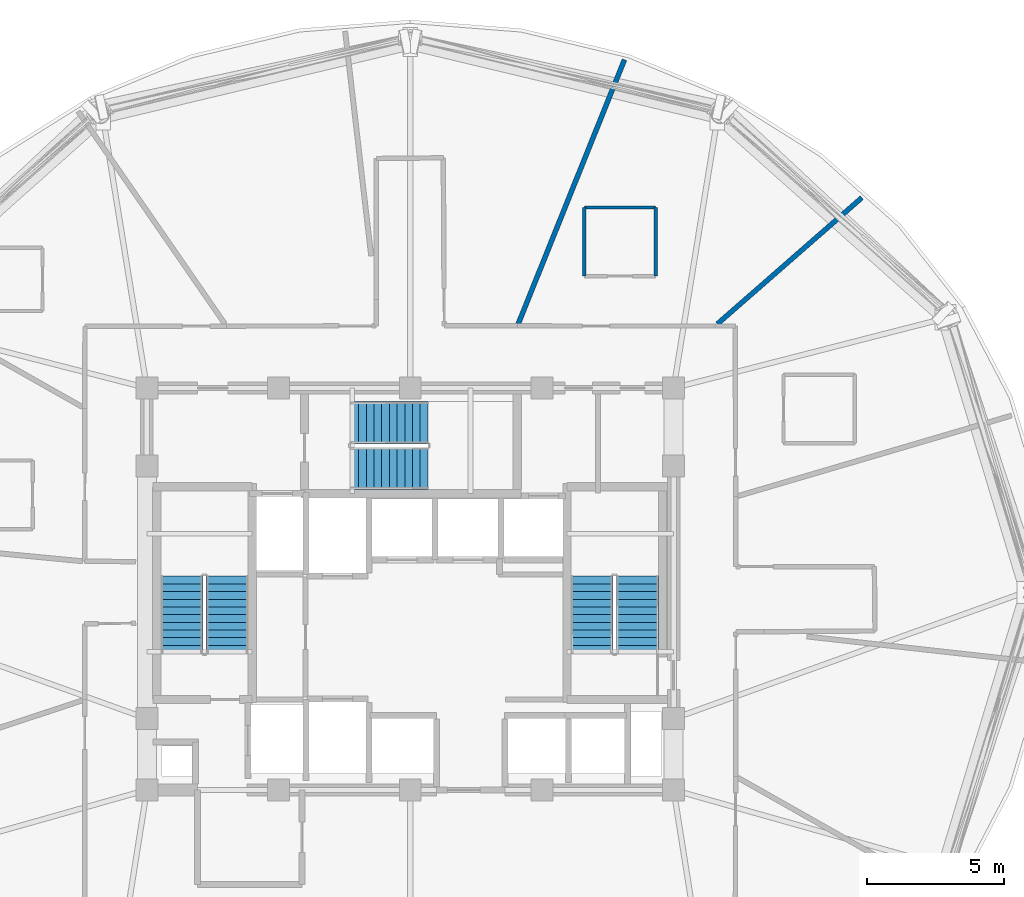
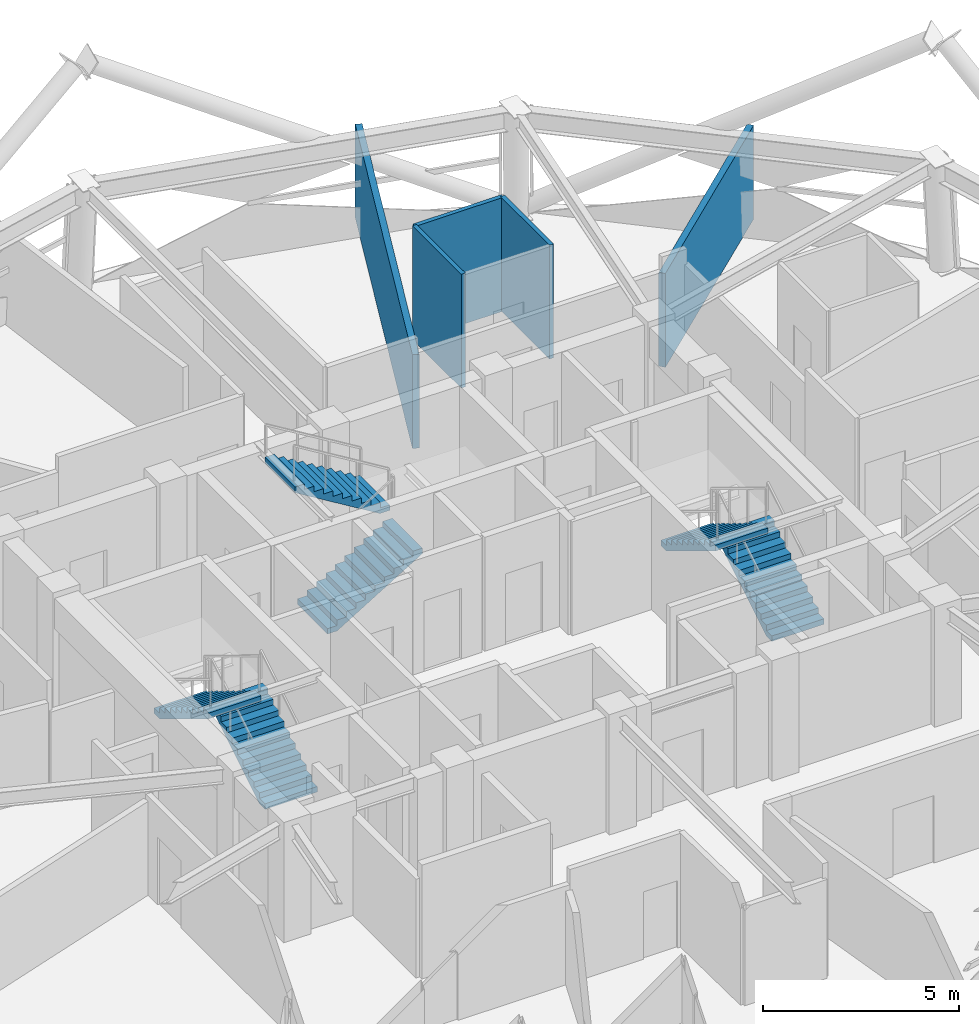
# One storey, part 8 of 12: 6 stair flights, 5 walls, 3 elements without a shape of their own.
"""IFC4 building model written with IfcOpenShell, lengths in metres."""

import ifcopenshell
import ifcopenshell.guid

model = None  # the IFC model being written
_history = None  # IfcOwnerHistory: only IFC2X3 demands one
_inside = {}  # id of a spatial element -> (the spatial element, [elements in it])
_under = {}  # id of a project, library or spatial element -> (it, [spatial elements below it])
_declared = {}  # id of a project -> (the project, [libraries it declares])
_typed = {}  # id of a type object -> (the type object, [elements of that type])
_made_of = {}  # id of a material, layer set ... -> (it, [elements and type objects made of it])


def new_model(schema):
    """Start an empty IFC model of exactly this schema.

    Asked for "IFC4X3", IfcOpenShell would pick the latest addendum, in which some entities
    have other attributes; the version numbers below select the first issue.
    IFC2X3 requires an IfcOwnerHistory on every rooted entity: one is made here for all.
    """
    global model, _history
    if schema == "IFC4X3":
        model = ifcopenshell.file(schema_version=(4, 3, 0, 0))
    else:
        model = ifcopenshell.file(schema=schema)
    _inside.clear()
    _under.clear()
    _declared.clear()
    _typed.clear()
    _made_of.clear()
    _history = None
    if model.schema == "IFC2X3":
        org = make("IfcOrganization", Name="unknown")
        user = make(
            "IfcPersonAndOrganization",
            ThePerson=make("IfcPerson", FamilyName="unknown"),
            TheOrganization=org,
        )
        app = make(
            "IfcApplication",
            ApplicationDeveloper=org,
            Version="unknown",
            ApplicationFullName="unknown",
            ApplicationIdentifier="unknown",
        )
        _history = make(
            "IfcOwnerHistory",
            OwningUser=user,
            OwningApplication=app,
            ChangeAction="ADDED",
            CreationDate=0,
        )
    return model


def make(cls, **values):
    """One entity of the class cls with the attributes given. An attribute that is None is left unset."""
    return model.create_entity(
        cls, **{name: value for name, value in values.items() if value is not None}
    )


def rooted(cls, **values):
    """An entity with a GlobalId (a new one), such as an element, a storey or a relation."""
    return make(cls, GlobalId=ifcopenshell.guid.new(), OwnerHistory=_history, **values)


def si_unit(unit_type, name, prefix=None):
    """IfcSIUnit, for example si_unit("LENGTHUNIT", "METRE", prefix="MILLI")."""
    return make("IfcSIUnit", UnitType=unit_type, Prefix=prefix, Name=name)


def assignment(units):
    """IfcUnitAssignment: the units of a project."""
    return None if units is None else make("IfcUnitAssignment", Units=units)


def point(xyz):
    """IfcCartesianPoint."""
    return None if xyz is None else make("IfcCartesianPoint", Coordinates=xyz)


def direction(xyz):
    """IfcDirection."""
    return None if xyz is None else make("IfcDirection", DirectionRatios=xyz)


def frame(location, z_axis=None, x_axis=None):
    """IfcAxis2Placement3D, a coordinate frame: its origin and axes. An axis left out is left unset."""
    return make(
        "IfcAxis2Placement3D",
        Location=point(location),
        Axis=direction(z_axis),
        RefDirection=direction(x_axis),
    )


def frame_2d(location, x_axis=None):
    """IfcAxis2Placement2D, a coordinate frame in the plane: its origin and x axis."""
    return make(
        "IfcAxis2Placement2D", Location=point(location), RefDirection=direction(x_axis)
    )


def origin():
    """The frame at (0, 0, 0) with its axes left unset."""
    return frame((0.0, 0.0, 0.0))


def place(relative_to, where):
    """IfcLocalPlacement: puts the frame where relative to a parent placement (None: the world)."""
    return make(
        "IfcLocalPlacement", PlacementRelTo=relative_to, RelativePlacement=where
    )


def context(
    kind, dimensions, precision=None, world=None, true_north=None, identifier=None
):
    """IfcGeometricRepresentationContext, for example the 3D "Model" context."""
    return make(
        "IfcGeometricRepresentationContext",
        ContextIdentifier=identifier,
        ContextType=kind,
        CoordinateSpaceDimension=dimensions,
        Precision=precision,
        WorldCoordinateSystem=world,
        TrueNorth=true_north,
    )


def subcontext(parent, identifier, kind, view, scale=None):
    """IfcGeometricRepresentationSubContext, for example "Body" below "Model"."""
    return make(
        "IfcGeometricRepresentationSubContext",
        ContextIdentifier=identifier,
        ContextType=kind,
        ParentContext=parent,
        TargetScale=scale,
        TargetView=view,
    )


def project(units=None, contexts=None):
    """IfcProject with its units and contexts."""
    return rooted(
        "IfcProject",
        Name="project",
        RepresentationContexts=contexts,
        UnitsInContext=assignment(units),
    )


def spatial(cls, under=None, at=None, **own):
    """A site, building, storey or space (cls), placed at a placement, below another one or the project."""
    s = rooted(cls, ObjectPlacement=at, **own)
    if under is not None:
        _under.setdefault(under.id(), (under, []))[1].append(s)
    return s


def polyline(points):
    """IfcPolyline through the points."""
    return make("IfcPolyline", Points=[point(p) for p in points])


def profile(cls, at=None, kind="AREA", **sizes):
    """A parametric profile (cls). Its sizes go by their IFC names, for example OverallWidth=200.0."""
    return make(cls, ProfileType=kind, Position=at, **sizes)


def rectangle(**sizes):
    """IfcRectangleProfileDef."""
    return profile("IfcRectangleProfileDef", **sizes)


def outline(outer, holes=None, kind="AREA"):
    """IfcArbitraryClosedProfileDef: a profile drawn as a closed curve; with holes, ...WithVoids."""
    if holes is None:
        return make("IfcArbitraryClosedProfileDef", ProfileType=kind, OuterCurve=outer)
    return make(
        "IfcArbitraryProfileDefWithVoids",
        ProfileType=kind,
        OuterCurve=outer,
        InnerCurves=holes,
    )


def extrude(swept, where, along, depth):
    """IfcExtrudedAreaSolid: the profile swept, set in the frame where, extruded along a direction by depth."""
    return make(
        "IfcExtrudedAreaSolid",
        SweptArea=swept,
        Position=where,
        ExtrudedDirection=direction(along),
        Depth=depth,
    )


def shape(context_of_items, identifier, shape_type, items):
    """IfcShapeRepresentation: the items that make up one representation, for example the "Body"."""
    return make(
        "IfcShapeRepresentation",
        ContextOfItems=context_of_items,
        RepresentationIdentifier=identifier,
        RepresentationType=shape_type,
        Items=items,
    )


def material(Name=None, Category=None):
    """IfcMaterial."""
    return make("IfcMaterial", Name=Name, Category=Category)


def layer(
    of_material, thickness, ventilated=None, Name=None, Category=None, Priority=None
):
    """IfcMaterialLayer: one layer of a wall or slab, of a material (None: an air gap)."""
    return make(
        "IfcMaterialLayer",
        Material=of_material,
        LayerThickness=thickness,
        IsVentilated=ventilated,
        Name=Name,
        Category=Category,
        Priority=Priority,
    )


def layer_set(layers, Name=None):
    """IfcMaterialLayerSet."""
    return make("IfcMaterialLayerSet", MaterialLayers=layers, LayerSetName=Name)


def made_of(thing, what):
    """Note that an element or type object is made of a material, layer set ...; save() writes the relation."""
    if what is not None:
        _made_of.setdefault(what.id(), (what, []))[1].append(thing)
    return thing


def type_object(cls, material=None, **own):
    """A type object (cls), such as IfcWallType, which elements share."""
    return made_of(rooted(cls, **own), material)


def element(
    cls,
    number,
    at=None,
    inside=None,
    cuts=None,
    type_object=None,
    material=None,
    context=None,
    identifier="Body",
    shape_type=None,
    held_by="IfcProductDefinitionShape",
    body=None,
    shapes=None,
    **own,
):
    """One element of the class cls, such as IfcWall. Its Tag is "e" and its number.

    at: its placement. inside: the storey or other place that contains it. cuts: it is an
    opening in that element (IfcRelVoidsElement). A single representation is given by context,
    identifier, shape_type and body (its items); several are given by shapes. held_by: the class
    of the entity that holds the representations. save() writes the other relations.
    """
    e = rooted(cls, Tag="e%d" % number, ObjectPlacement=at, **own)
    if body is not None:
        shapes = [shape(context, identifier, shape_type, body)]
    if shapes is not None:
        e.Representation = make(held_by, Representations=shapes)
    if inside is not None:
        _inside.setdefault(inside.id(), (inside, []))[1].append(e)
    if cuts is not None:
        rooted(
            "IfcRelVoidsElement", RelatingBuildingElement=cuts, RelatedOpeningElement=e
        )
    if type_object is not None:
        _typed.setdefault(type_object.id(), (type_object, []))[1].append(e)
    return made_of(e, material)


def aggregate(whole, parts):
    """IfcRelAggregates: a whole, such as a stair, and the parts it consists of."""
    return rooted("IfcRelAggregates", RelatingObject=whole, RelatedObjects=parts)


def save(model, path):
    """Write the relations noted so far, then the file.

    IfcRelAggregates (storeys below a building ...), IfcRelContainedInSpatialStructure (elements
    in a storey), IfcRelDefinesByType, IfcRelAssociatesMaterial and IfcRelDeclares: one each for
    every whole, place, type object, material and project.
    """
    for whole, parts in _under.values():
        aggregate(whole, parts)
    for where, things in _inside.values():
        rooted(
            "IfcRelContainedInSpatialStructure",
            RelatedElements=things,
            RelatingStructure=where,
        )
    for kind, things in _typed.values():
        rooted("IfcRelDefinesByType", RelatedObjects=things, RelatingType=kind)
    for what, things in _made_of.values():
        rooted("IfcRelAssociatesMaterial", RelatedObjects=things, RelatingMaterial=what)
    for by, libraries in _declared.values():
        rooted("IfcRelDeclares", RelatingContext=by, RelatedDefinitions=libraries)
    model.write(path)


model = new_model("IFC4")

# Units and contexts
model_context = context("Model", 3, precision=1e-05, world=origin(), true_north=direction((0.0, 1.0)))
body_context = subcontext(model_context, "Body", "Model", "MODEL_VIEW")
ifc_project = project(units=[si_unit("LENGTHUNIT", "METRE"), si_unit("AREAUNIT", "SQUARE_METRE"), si_unit("VOLUMEUNIT", "CUBIC_METRE"), si_unit("PLANEANGLEUNIT", "RADIAN"), si_unit("MASSUNIT", "GRAM", prefix="KILO")], contexts=[model_context])

# Site, building, storey
site_placement = place(None, origin())
site = spatial("IfcSite", under=ifc_project, at=site_placement, CompositionType="ELEMENT")
building_placement = place(site_placement, origin())
building = spatial("IfcBuilding", under=site, at=building_placement, Name="Vantalir Tower", CompositionType="ELEMENT")
storey_placement = place(building_placement, frame((0.0, 0.0, 197.39990234375)))
storey = spatial("IfcBuildingStorey", under=building, at=storey_placement, Name="L49", CompositionType="ELEMENT", Elevation=197.39990234375)

# Walls
ifc_material_1 = material(Name="Moisture-resistant en-suite partition", Category="gypsum")
ifc_layer_1 = layer(ifc_material_1, 0.125)
ifc_layer_set_1 = layer_set([ifc_layer_1], Name="Moisture-resistant en-suite partition")
wall_type_1 = type_object("IfcWallType", Name="WL-BATH-125", PredefinedType="PARTITIONING", material=ifc_layer_set_1)
wall_1_placement = place(storey_placement, frame((37.842041015625, 39.028076171875, 0.0), z_axis=(0.0, 0.0, 1.0), x_axis=(1.0, 0.0, 0.0)))
element("IfcWall", 1, at=wall_1_placement, inside=storey, type_object=wall_type_1, Name="L49 En-suite 02 North Wall", PredefinedType="PARTITIONING", context=body_context, shape_type="SweptSolid", body=[
    extrude(rectangle(XDim=2.599853515625, YDim=0.125, at=frame_2d((1.2998046875, 0.0))), origin(), (0.0, 0.0, 1.0), 3.550048828125),
])
for number, where, z_axis, x_axis, name in (
    (2, (37.842041015625, 36.528076171875, 0.0), (0.0, 0.0, 1.0), (0.0, 1.0, 0.0), "L49 En-suite 02 West Wall"),
    (3, (40.44189453125, 36.528076171875, 0.0), (0.0, 0.0, 1.0), (0.0, 1.0, 0.0), "L49 En-suite 02 East Wall"),
):
    element("IfcWall", number, at=place(storey_placement, frame(where, z_axis=z_axis, x_axis=x_axis)), inside=storey, type_object=wall_type_1, Name=name, PredefinedType="PARTITIONING", context=body_context, shape_type="SweptSolid", body=[
        extrude(rectangle(XDim=2.5, YDim=0.125, at=frame_2d((1.25, 0.0))), origin(), (0.0, 0.0, 1.0), 3.550048828125),
    ])
ifc_material_2 = material(Name="Twin-stud acoustic fire-rated gypsum partition", Category="gypsum")
ifc_layer_2 = layer(ifc_material_2, 0.179931640625)
ifc_layer_set_2 = layer_set([ifc_layer_2], Name="Twin-stud acoustic fire-rated gypsum partition")
wall_type_2 = type_object("IfcWallType", Name="WL-GUEST-180", PredefinedType="PARTITIONING", material=ifc_layer_set_2)
wall_2_placement = place(storey_placement, frame((42.699951171875, 34.7900390625, 0.0), z_axis=(0.0, 0.0, 1.0), x_axis=(0.75292092659, 0.658110992388, 0.0)))
element("IfcWall", 4, at=wall_2_placement, inside=storey, type_object=wall_type_2, Name="L49 Radial Suite Partition 02", PredefinedType="PARTITIONING", context=body_context, shape_type="SweptSolid", body=[
    extrude(rectangle(XDim=6.983642578125, YDim=0.179931640625, at=frame_2d((3.49169921875, 0.0))), origin(), (0.0, 0.0, 1.0), 2.925048828125),
])
wall_3_placement = place(storey_placement, frame((35.43701171875, 34.7900390625, 0.0), z_axis=(0.0, 0.0, 1.0), x_axis=(0.373077668458, 0.927800114948, 0.0)))
element("IfcWall", 5, at=wall_3_placement, inside=storey, type_object=wall_type_2, Name="L49 Radial Suite Partition 03", PredefinedType="PARTITIONING", context=body_context, shape_type="SweptSolid", body=[
    extrude(rectangle(XDim=10.376220703125, YDim=0.179931640625, at=frame_2d((5.18798828125, 0.0))), origin(), (0.0, 0.0, 1.0), 2.925048828125),
])

# Stair, stair flights
ifc_material_3 = material(Name="Concrete C40/50", Category="concrete")
stair_type = type_object("IfcStairType", Name="STR-CORE-1450", PredefinedType="HALF_TURN_STAIR", material=ifc_material_3)
stair_1_placement = place(storey_placement, origin())
stair_1 = element("IfcStair", 6, at=stair_1_placement, inside=storey, type_object=stair_type, Name="L49 Core Exit Stair 1", PredefinedType="HALF_TURN_STAIR")
stair_flight_type = type_object("IfcStairFlightType", Name="FLT-CORE-1450", PredefinedType="STRAIGHT", material=ifc_material_3)
stair_flight_1_placement = place(storey_placement, frame((24.830078125, 22.7900390625, 0.0), z_axis=(0.0, 0.0, 1.0), x_axis=(0.0, 1.0, 0.0)))
stair_flight_1 = element("IfcStairFlight", 7, at=stair_flight_1_placement, type_object=stair_flight_type, Name="ST1 flight 1", NumberOfRisers=11, NumberOfTreads=10, PredefinedType="STRAIGHT", RiserHeight=0.170454545, TreadLength=0.28, context=body_context, shape_type="SweptSolid", body=[
    extrude(outline(polyline([(0.0, 0.0), (0.0, 0.17041015625), (0.280029296875, 0.17041015625), (0.280029296875, 0.3408203125), (0.56005859375, 0.3408203125), (0.56005859375, 0.511474609375), (0.840087890625, 0.511474609375), (0.840087890625, 0.681884765625), (1.1201171875, 0.681884765625), (1.1201171875, 0.852294921875), (1.39990234375, 0.852294921875), (1.39990234375, 1.022705078125), (1.679931640625, 1.022705078125), (1.679931640625, 1.193115234375), (1.9599609375, 1.193115234375), (1.9599609375, 1.363525390625), (2.239990234375, 1.363525390625), (2.239990234375, 1.5341796875), (2.52001953125, 1.5341796875), (2.52001953125, 1.70458984375), (2.800048828125, 1.70458984375), (2.800048828125, 1.875), (2.800048828125, 1.529052734375), (0.288330078125, 0.0), (0.0, 0.0)])), frame((0.0, 0.77001953125, 0.0), z_axis=(0.0, -1.0, 0.0), x_axis=(1.0, 0.0, 0.0)), (0.0, 0.0, 1.0), 1.5400390625),
])
stair_flight_2_placement = place(storey_placement, frame((23.169921875, 25.590087890625, 1.875), z_axis=(0.0, 0.0, 1.0), x_axis=(0.0, -1.0, 0.0)))
stair_flight_2 = element("IfcStairFlight", 8, at=stair_flight_2_placement, type_object=stair_flight_type, Name="ST1 flight 2", NumberOfRisers=11, NumberOfTreads=10, PredefinedType="STRAIGHT", RiserHeight=0.170454545, TreadLength=0.28, context=body_context, shape_type="SweptSolid", body=[
    extrude(outline(polyline([(0.0, 0.0), (0.0, 0.17041015625), (0.280029296875, 0.17041015625), (0.280029296875, 0.3408203125), (0.56005859375, 0.3408203125), (0.56005859375, 0.511474609375), (0.840087890625, 0.511474609375), (0.840087890625, 0.681884765625), (1.1201171875, 0.681884765625), (1.1201171875, 0.852294921875), (1.39990234375, 0.852294921875), (1.39990234375, 1.022705078125), (1.679931640625, 1.022705078125), (1.679931640625, 1.193115234375), (1.9599609375, 1.193115234375), (1.9599609375, 1.363525390625), (2.239990234375, 1.363525390625), (2.239990234375, 1.5341796875), (2.52001953125, 1.5341796875), (2.52001953125, 1.70458984375), (2.800048828125, 1.70458984375), (2.800048828125, 1.875), (2.800048828125, 1.529052734375), (0.288330078125, 0.0), (0.0, 0.0)])), frame((0.0, 0.77001953125, 0.0), z_axis=(0.0, -1.0, 0.0), x_axis=(1.0, 0.0, 0.0)), (0.0, 0.0, 1.0), 1.5400390625),
])
aggregate(stair_1, [stair_flight_1, stair_flight_2])

stair_2_placement = place(storey_placement, origin())
stair_2 = element("IfcStair", 9, at=stair_2_placement, inside=storey, type_object=stair_type, Name="L49 Core Exit Stair 2", PredefinedType="HALF_TURN_STAIR")
stair_flight_3_placement = place(storey_placement, frame((39.780029296875, 22.7900390625, 0.0), z_axis=(0.0, 0.0, 1.0), x_axis=(0.0, 1.0, 0.0)))
stair_flight_3 = element("IfcStairFlight", 10, at=stair_flight_3_placement, type_object=stair_flight_type, Name="ST2 flight 1", NumberOfRisers=11, NumberOfTreads=10, PredefinedType="STRAIGHT", RiserHeight=0.170454545, TreadLength=0.28, context=body_context, shape_type="SweptSolid", body=[
    extrude(outline(polyline([(0.0, 0.0), (0.0, 0.17041015625), (0.280029296875, 0.17041015625), (0.280029296875, 0.3408203125), (0.56005859375, 0.3408203125), (0.56005859375, 0.511474609375), (0.840087890625, 0.511474609375), (0.840087890625, 0.681884765625), (1.1201171875, 0.681884765625), (1.1201171875, 0.852294921875), (1.39990234375, 0.852294921875), (1.39990234375, 1.022705078125), (1.679931640625, 1.022705078125), (1.679931640625, 1.193115234375), (1.9599609375, 1.193115234375), (1.9599609375, 1.363525390625), (2.239990234375, 1.363525390625), (2.239990234375, 1.5341796875), (2.52001953125, 1.5341796875), (2.52001953125, 1.70458984375), (2.800048828125, 1.70458984375), (2.800048828125, 1.875), (2.800048828125, 1.529052734375), (0.288330078125, 0.0), (0.0, 0.0)])), frame((0.0, 0.77001953125, 0.0), z_axis=(0.0, -1.0, 0.0), x_axis=(1.0, 0.0, 0.0)), (0.0, 0.0, 1.0), 1.5400390625),
])
stair_flight_4_placement = place(storey_placement, frame((38.1201171875, 25.590087890625, 1.875), z_axis=(0.0, 0.0, 1.0), x_axis=(0.0, -1.0, 0.0)))
stair_flight_4 = element("IfcStairFlight", 11, at=stair_flight_4_placement, type_object=stair_flight_type, Name="ST2 flight 2", NumberOfRisers=11, NumberOfTreads=10, PredefinedType="STRAIGHT", RiserHeight=0.170454545, TreadLength=0.28, context=body_context, shape_type="SweptSolid", body=[
    extrude(outline(polyline([(0.0, 0.0), (0.0, 0.17041015625), (0.280029296875, 0.17041015625), (0.280029296875, 0.3408203125), (0.56005859375, 0.3408203125), (0.56005859375, 0.511474609375), (0.840087890625, 0.511474609375), (0.840087890625, 0.681884765625), (1.1201171875, 0.681884765625), (1.1201171875, 0.852294921875), (1.39990234375, 0.852294921875), (1.39990234375, 1.022705078125), (1.679931640625, 1.022705078125), (1.679931640625, 1.193115234375), (1.9599609375, 1.193115234375), (1.9599609375, 1.363525390625), (2.239990234375, 1.363525390625), (2.239990234375, 1.5341796875), (2.52001953125, 1.5341796875), (2.52001953125, 1.70458984375), (2.800048828125, 1.70458984375), (2.800048828125, 1.875), (2.800048828125, 1.529052734375), (0.288330078125, 0.0), (0.0, 0.0)])), frame((0.0, 0.77001953125, 0.0), z_axis=(0.0, -1.0, 0.0), x_axis=(1.0, 0.0, 0.0)), (0.0, 0.0, 1.0), 1.5400390625),
])
aggregate(stair_2, [stair_flight_3, stair_flight_4])

stair_3_placement = place(storey_placement, origin())
stair_3 = element("IfcStair", 12, at=stair_3_placement, inside=storey, type_object=stair_type, Name="L49 Core Exit Stair 3", PredefinedType="HALF_TURN_STAIR")
stair_flight_5_placement = place(storey_placement, frame((29.340087890625, 29.52001953125, 0.0), z_axis=(0.0, 0.0, 1.0), x_axis=(1.0, 0.0, 0.0)))
stair_flight_5 = element("IfcStairFlight", 13, at=stair_flight_5_placement, type_object=stair_flight_type, Name="ST3 flight 1", NumberOfRisers=11, NumberOfTreads=10, PredefinedType="STRAIGHT", RiserHeight=0.170454545, TreadLength=0.28, context=body_context, shape_type="SweptSolid", body=[
    extrude(outline(polyline([(0.0, 0.0), (0.0, 0.17041015625), (0.280029296875, 0.17041015625), (0.280029296875, 0.3408203125), (0.56005859375, 0.3408203125), (0.56005859375, 0.511474609375), (0.840087890625, 0.511474609375), (0.840087890625, 0.681884765625), (1.1201171875, 0.681884765625), (1.1201171875, 0.852294921875), (1.39990234375, 0.852294921875), (1.39990234375, 1.022705078125), (1.679931640625, 1.022705078125), (1.679931640625, 1.193115234375), (1.9599609375, 1.193115234375), (1.9599609375, 1.363525390625), (2.239990234375, 1.363525390625), (2.239990234375, 1.5341796875), (2.52001953125, 1.5341796875), (2.52001953125, 1.70458984375), (2.800048828125, 1.70458984375), (2.800048828125, 1.875), (2.800048828125, 1.529052734375), (0.288330078125, 0.0), (0.0, 0.0)])), frame((0.0, 0.77001953125, 0.0), z_axis=(0.0, -1.0, 0.0), x_axis=(1.0, 0.0, 0.0)), (0.0, 0.0, 1.0), 1.5400390625),
])
stair_flight_6_placement = place(storey_placement, frame((32.139892578125, 31.179931640625, 1.875), z_axis=(0.0, 0.0, 1.0), x_axis=(-1.0, 0.0, 0.0)))
stair_flight_6 = element("IfcStairFlight", 14, at=stair_flight_6_placement, type_object=stair_flight_type, Name="ST3 flight 2", NumberOfRisers=11, NumberOfTreads=10, PredefinedType="STRAIGHT", RiserHeight=0.170454545, TreadLength=0.28, context=body_context, shape_type="SweptSolid", body=[
    extrude(outline(polyline([(0.0, 0.0), (0.0, 0.17041015625), (0.280029296875, 0.17041015625), (0.280029296875, 0.3408203125), (0.56005859375, 0.3408203125), (0.56005859375, 0.511474609375), (0.840087890625, 0.511474609375), (0.840087890625, 0.681884765625), (1.1201171875, 0.681884765625), (1.1201171875, 0.852294921875), (1.39990234375, 0.852294921875), (1.39990234375, 1.022705078125), (1.679931640625, 1.022705078125), (1.679931640625, 1.193115234375), (1.9599609375, 1.193115234375), (1.9599609375, 1.363525390625), (2.239990234375, 1.363525390625), (2.239990234375, 1.5341796875), (2.52001953125, 1.5341796875), (2.52001953125, 1.70458984375), (2.800048828125, 1.70458984375), (2.800048828125, 1.875), (2.800048828125, 1.529052734375), (0.288330078125, 0.0), (0.0, 0.0)])), frame((0.0, 0.77001953125, 0.0), z_axis=(0.0, -1.0, 0.0), x_axis=(1.0, 0.0, 0.0)), (0.0, 0.0, 1.0), 1.5400390625),
])
aggregate(stair_3, [stair_flight_5, stair_flight_6])

save(model, "model.ifc")
